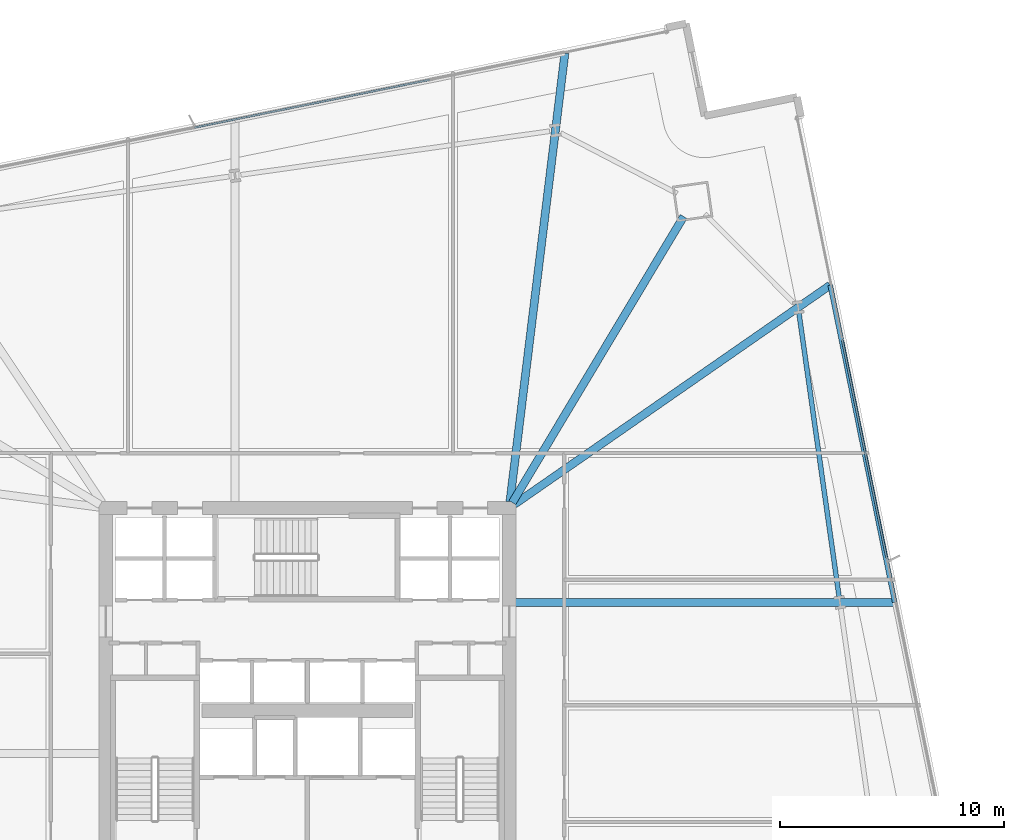
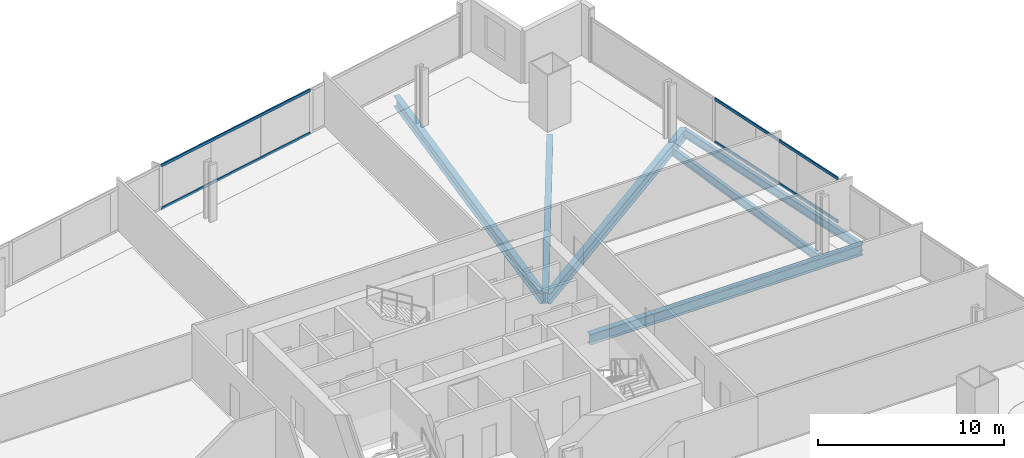
# One storey, part 19 of 33: 6 beams, 4 members, 2 elements without a shape of their own.
"""IFC4 building model written with IfcOpenShell, lengths in metres."""

from ifc_helpers import new_model, si_unit, direction, frame, origin, origin_2d, place, context, subcontext, project, spatial, hollow_rectangle, i_section, extrude, material, material_profile, profile_set, type_object, element, aggregate, save


model = new_model("IFC4")

# Units and contexts
model_context = context("Model", 3, precision=1e-05, world=origin(), true_north=direction((0.0, 1.0)))
body_context = subcontext(model_context, "Body", "Model", "MODEL_VIEW")
ifc_project = project(units=[si_unit("LENGTHUNIT", "METRE"), si_unit("AREAUNIT", "SQUARE_METRE"), si_unit("VOLUMEUNIT", "CUBIC_METRE"), si_unit("PLANEANGLEUNIT", "RADIAN"), si_unit("MASSUNIT", "GRAM", prefix="KILO")], contexts=[model_context])

# Site, building, storey
site_placement = place(None, origin())
site = spatial("IfcSite", under=ifc_project, at=site_placement, CompositionType="ELEMENT")
building_placement = place(site_placement, origin())
building = spatial("IfcBuilding", under=site, at=building_placement, Name="Haldenkirk Collegiate Tower", CompositionType="ELEMENT")
storey_placement = place(building_placement, frame((0.0, 0.0, 66.449951171875)))
storey = spatial("IfcBuildingStorey", under=building, at=storey_placement, Name="L15", CompositionType="ELEMENT", Elevation=66.449951171875)

# Beams
ifc_material_1 = material(Name="Steel ASTM A992 Grade 50", Category="steel")
ifc_material_profile_1 = material_profile(ifc_material_1, i_section(OverallWidth=0.35498046875, OverallDepth=0.696044921875, WebThickness=0.015380859375, FlangeThickness=0.02490234375, at=origin_2d()), Name="W27X146")
ifc_profile_set_1 = profile_set([ifc_material_profile_1], Name="Steel ASTM A992 Grade 50")
beam_type_1 = type_object("IfcBeamType", Name="BM-GIRDER-W27X146", PredefinedType="BEAM", material=ifc_profile_set_1)
beam_1_placement = place(storey_placement, frame((52.783935546875, 47.000732421875, -0.657958984375), z_axis=(-0.513696499257, -0.857971973115, 0.0), x_axis=(0.857971973115, -0.513696499257, 0.0)))
element("IfcBeam", 1, at=beam_1_placement, inside=storey, type_object=beam_type_1, Name="L15 primary floor girder 03", PredefinedType="BEAM", context=body_context, shape_type="SweptSolid", body=[
    extrude(i_section(OverallWidth=0.35498046875, OverallDepth=0.696044921875, WebThickness=0.015380859375, FlangeThickness=0.02490234375, at=origin_2d()), origin(), (0.0, 0.0, 1.0), 14.872802734375),
])
beam_2_placement = place(storey_placement, frame((62.20068359375, 29.788818359375, -0.657958984375), z_axis=(-1.0, 0.0, 0.0), x_axis=(0.0, -1.0, 0.0)))
element("IfcBeam", 2, at=beam_2_placement, inside=storey, type_object=beam_type_1, Name="L15 primary floor girder 09", PredefinedType="BEAM", context=body_context, shape_type="SweptSolid", body=[
    extrude(i_section(OverallWidth=0.35498046875, OverallDepth=0.696044921875, WebThickness=0.015380859375, FlangeThickness=0.02490234375, at=origin_2d()), origin(), (0.0, 0.0, 1.0), 16.920654296875),
])
beam_3_placement = place(storey_placement, frame((59.3212890625, 43.940673828125, -0.657958984375), z_axis=(-0.821496271121, -0.570213886655, 0.0), x_axis=(0.570213886655, -0.821496271121, 0.0)))
element("IfcBeam", 3, at=beam_3_placement, inside=storey, type_object=beam_type_1, Name="L15 primary floor girder 10", PredefinedType="BEAM", context=body_context, shape_type="SweptSolid", body=[
    extrude(i_section(OverallWidth=0.35498046875, OverallDepth=0.696044921875, WebThickness=0.015380859375, FlangeThickness=0.02490234375, at=origin_2d()), origin(), (0.0, 0.0, 1.0), 17.1533203125),
])
beam_4_placement = place(storey_placement, frame((47.48828125, 54.288330078125, -0.657958984375), z_axis=(-0.121728675514, -0.992563413368, 0.0), x_axis=(0.992563413368, -0.121728675514, 0.0)))
element("IfcBeam", 4, at=beam_4_placement, inside=storey, type_object=beam_type_1, Name="L15 primary floor girder 11", PredefinedType="BEAM", context=body_context, shape_type="SweptSolid", body=[
    extrude(i_section(OverallWidth=0.35498046875, OverallDepth=0.696044921875, WebThickness=0.015380859375, FlangeThickness=0.02490234375, at=origin_2d()), origin(), (0.0, 0.0, 1.0), 20.160400390625),
])
ifc_material_profile_2 = material_profile(ifc_material_1, i_section(OverallWidth=0.2119140625, OverallDepth=0.5439453125, WebThickness=0.01318359375, FlangeThickness=0.021240234375, at=origin_2d()), Name="W21X83")
ifc_profile_set_2 = profile_set([ifc_material_profile_2], Name="Steel ASTM A992 Grade 50")
beam_type_2 = type_object("IfcBeamType", Name="BM-SPANDREL-W21X83", PredefinedType="SPANDREL", material=ifc_profile_set_2)
beam_5_placement = place(storey_placement, frame((59.716552734375, 30.050537109375, -0.58203125), z_axis=(-0.140052642207, 0.990144058918, 0.0), x_axis=(-0.990144058918, -0.140052642207, 0.0)))
element("IfcBeam", 5, at=beam_5_placement, inside=storey, type_object=beam_type_2, Name="L15 perimeter spandrel beam 07", PredefinedType="SPANDREL", context=body_context, shape_type="SweptSolid", body=[
    extrude(i_section(OverallWidth=0.2119140625, OverallDepth=0.5439453125, WebThickness=0.01318359375, FlangeThickness=0.021240234375, at=origin_2d()), origin(), (0.0, 0.0, 1.0), 12.761962890625),
])
beam_6_placement = place(storey_placement, frame((62.20068359375, 29.788818359375, -0.58203125), z_axis=(-0.199379038093, 0.979922445487, 0.0), x_axis=(-0.979922445487, -0.199379038093, 0.0)))
element("IfcBeam", 6, at=beam_6_placement, inside=storey, type_object=beam_type_2, Name="L15 outer facade edge beam 2B", PredefinedType="SPANDREL", context=body_context, shape_type="SweptSolid", body=[
    extrude(i_section(OverallWidth=0.2119140625, OverallDepth=0.5439453125, WebThickness=0.01318359375, FlangeThickness=0.021240234375, at=origin_2d()), origin(), (0.0, 0.0, 1.0), 14.44189453125),
])

# Curtain wall, members
ifc_material_2 = material(Name="Anodised architectural bronze aluminium", Category="aluminium")
curtain_wall_type = type_object("IfcCurtainWallType", Name="CW-SYS1-CONVEX-LOW", PredefinedType="USERDEFINED", material=ifc_material_2)
curtain_wall_1_placement = place(storey_placement, origin())
curtain_wall_1 = element("IfcCurtainWall", 7, at=curtain_wall_1_placement, inside=storey, type_object=curtain_wall_type, Name="L15 Lower tower convex bronze-framed unitised curtain wall", ObjectType="UNITISED CURTAIN WALL", PredefinedType="USERDEFINED")
ifc_material_profile_3 = material_profile(ifc_material_2, hollow_rectangle(XDim=0.080078125, YDim=0.179931640625, WallThickness=0.0048828125, at=origin_2d()), Name="CW-TRN-1A")
ifc_profile_set_3 = profile_set([ifc_material_profile_3], Name="Anodised architectural bronze aluminium")
member_type = type_object("IfcMemberType", Name="CW-TRN-1A", PredefinedType="USERDEFINED", material=ifc_profile_set_3)
member_1_placement = place(storey_placement, frame((59.85693359375, 41.5087890625, 0.0400390625), z_axis=(0.199372403444, -0.979923795376, 0.0), x_axis=(0.979923795376, 0.199372403444, 0.0)))
member_1 = element("IfcMember", 8, at=member_1_placement, type_object=member_type, Name="CW-1A transom 2.1", ObjectType="TRANSOM", PredefinedType="USERDEFINED", context=body_context, shape_type="SweptSolid", body=[
    extrude(hollow_rectangle(XDim=0.080078125, YDim=0.179931640625, WallThickness=0.0048828125, at=origin_2d()), origin(), (0.0, 0.0, 1.0), 9.988525390625),
])
member_2_placement = place(storey_placement, frame((59.85693359375, 41.5087890625, 2.85107421875), z_axis=(0.199372403444, -0.979923795376, 0.0), x_axis=(0.979923795376, 0.199372403444, 0.0)))
member_2 = element("IfcMember", 9, at=member_2_placement, type_object=member_type, Name="CW-1A transom 2.2", ObjectType="TRANSOM", PredefinedType="USERDEFINED", context=body_context, shape_type="SweptSolid", body=[
    extrude(hollow_rectangle(XDim=0.080078125, YDim=0.179931640625, WallThickness=0.0048828125, at=origin_2d()), origin(), (0.0, 0.0, 1.0), 9.988525390625),
])
aggregate(curtain_wall_1, [member_1, member_2])

curtain_wall_2_placement = place(storey_placement, origin())
curtain_wall_2 = element("IfcCurtainWall", 10, at=curtain_wall_2_placement, inside=storey, type_object=curtain_wall_type, Name="L15 Lower tower convex bronze-framed unitised curtain wall", ObjectType="UNITISED CURTAIN WALL", PredefinedType="USERDEFINED")
member_3_placement = place(storey_placement, frame((30.961181640625, 50.966552734375, 0.0400390625), z_axis=(0.979923814064, 0.199372311592, 0.0), x_axis=(-0.199372311592, 0.979923814064, 0.0)))
member_3 = element("IfcMember", 11, at=member_3_placement, type_object=member_type, Name="CW-1A transom 3.1", ObjectType="TRANSOM", PredefinedType="USERDEFINED", context=body_context, shape_type="SweptSolid", body=[
    extrude(hollow_rectangle(XDim=0.080078125, YDim=0.179931640625, WallThickness=0.0048828125, at=origin_2d()), origin(), (0.0, 0.0, 1.0), 10.695068359375),
])
member_4_placement = place(storey_placement, frame((30.961181640625, 50.966552734375, 2.85107421875), z_axis=(0.979923814064, 0.199372311592, 0.0), x_axis=(-0.199372311592, 0.979923814064, 0.0)))
member_4 = element("IfcMember", 12, at=member_4_placement, type_object=member_type, Name="CW-1A transom 3.2", ObjectType="TRANSOM", PredefinedType="USERDEFINED", context=body_context, shape_type="SweptSolid", body=[
    extrude(hollow_rectangle(XDim=0.080078125, YDim=0.179931640625, WallThickness=0.0048828125, at=origin_2d()), origin(), (0.0, 0.0, 1.0), 10.695068359375),
])
aggregate(curtain_wall_2, [member_3, member_4])

save(model, "model.ifc")
